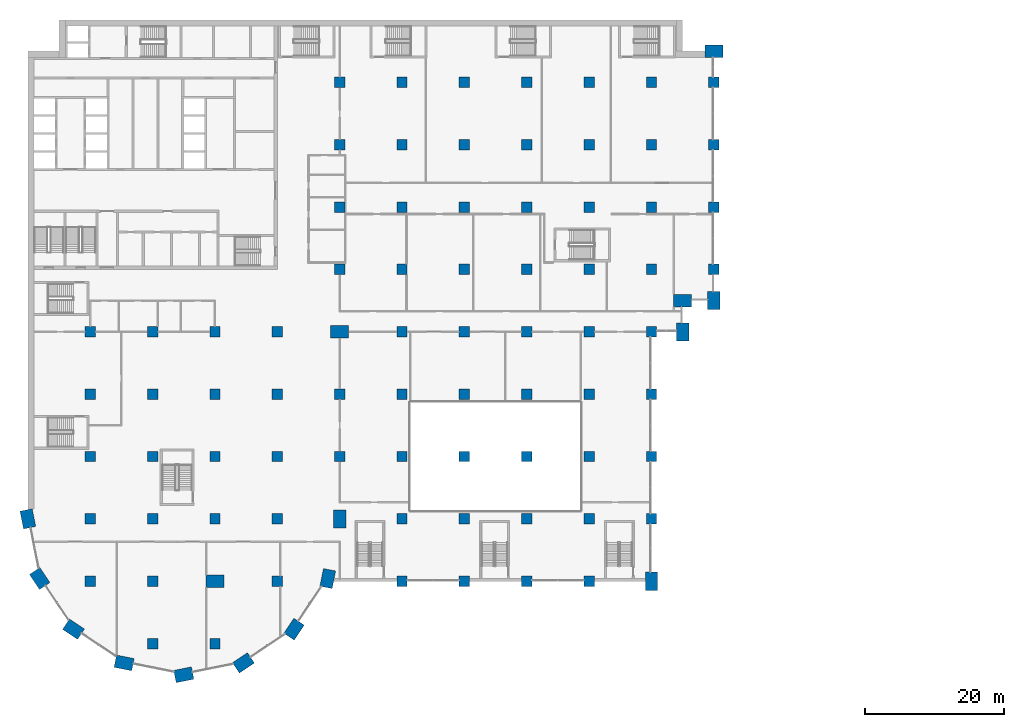
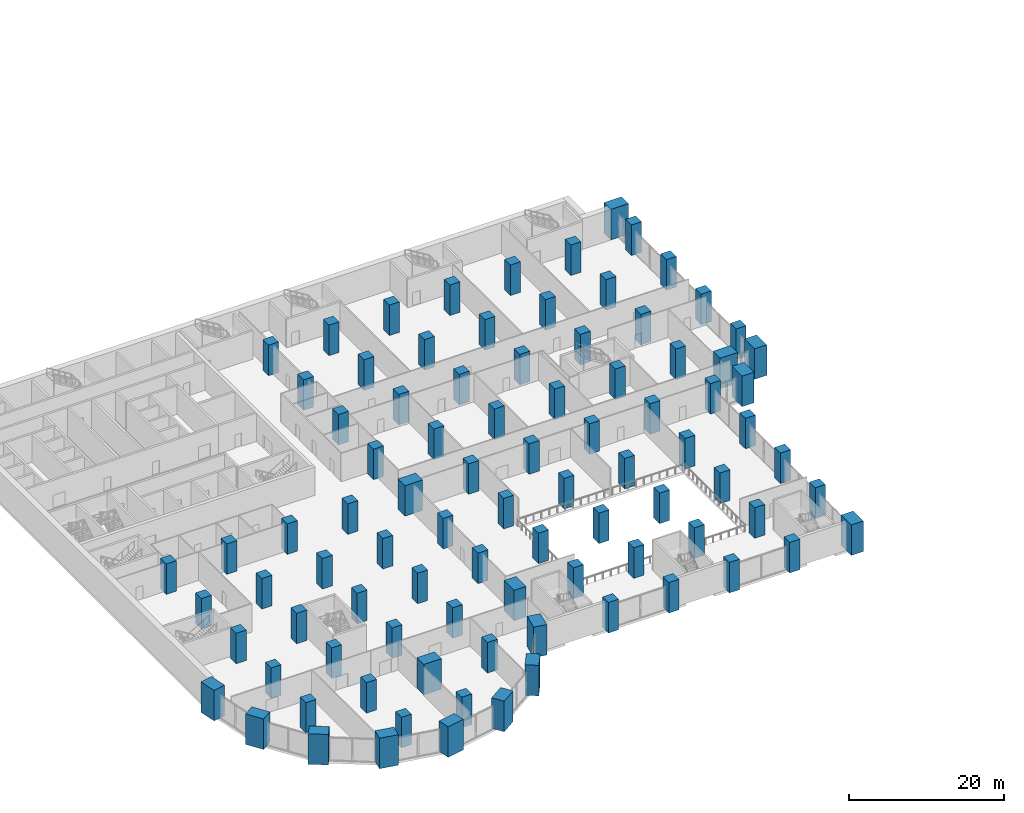
# One storey, part 1 of 49: 91 columns.
"""IFC4 building model written with IfcOpenShell, lengths in metres."""

from ifc_helpers import new_model, si_unit, direction, frame, origin, origin_2d, place, context, subcontext, project, spatial, rectangle, extrude, material, material_profile, profile_set, type_object, element, save


model = new_model("IFC4")

# Units and contexts
model_context = context("Model", 3, precision=1e-05, world=origin(), true_north=direction((0.0, 1.0)))
body_context = subcontext(model_context, "Body", "Model", "MODEL_VIEW")
ifc_project = project(units=[si_unit("LENGTHUNIT", "METRE"), si_unit("AREAUNIT", "SQUARE_METRE"), si_unit("VOLUMEUNIT", "CUBIC_METRE"), si_unit("PLANEANGLEUNIT", "RADIAN"), si_unit("MASSUNIT", "GRAM", prefix="KILO")], contexts=[model_context])

# Site, building, storey
site_placement = place(None, origin())
site = spatial("IfcSite", under=ifc_project, at=site_placement, CompositionType="ELEMENT")
building_placement = place(site_placement, origin())
building = spatial("IfcBuilding", under=site, at=building_placement, Name="Hunhe Ridgeline Campus", CompositionType="ELEMENT")
storey_placement = place(building_placement, frame((0.0, 0.0, 21.60009765625)))
storey = spatial("IfcBuildingStorey", under=building, at=storey_placement, Name="L04", CompositionType="ELEMENT", Elevation=21.60009765625)

# Columns
ifc_material = material(Name="Concrete C80", Category="concrete")
ifc_material_profile_1 = material_profile(ifc_material, rectangle(XDim=2.60009765625, YDim=1.800048828125, at=origin_2d()))
ifc_profile_set_1 = profile_set([ifc_material_profile_1], Name="Concrete C80")
column_type_1 = type_object("IfcColumnType", Name="Megacolumn 2600x1800 Concrete C80", PredefinedType="COLUMN", material=ifc_profile_set_1)
for number, where, z_axis, x_axis, name in (
    (1, (22.5, 4.5, 0.0), (0.0, 0.0, 1.0), (0.980785280403, 0.195090322016, 0.0), "Column C1 R1 L04"),
    (2, (13.8896484375, 6.212646484375, 0.0), (0.0, 0.0, 1.0), (-0.980785280403, 0.195090322016, 0.0), "Column C1 R2 L04"),
    (3, (31.1103515625, 6.212646484375, 0.0), (0.0, 0.0, 1.0), (0.831469612303, 0.55557023302, 0.0), "Column C1 R3 L04"),
    (4, (6.590087890625, 11.090087890625, 0.0), (0.0, 0.0, 1.0), (-0.831469612303, 0.55557023302, 0.0), "Column C1 R4 L04"),
    (5, (38.409912109375, 11.090087890625, 0.0), (0.0, 0.0, 1.0), (0.55557023302, 0.831469612303, 0.0), "Column C1 R5 L04"),
    (6, (1.712646484375, 18.3896484375, 0.0), (0.0, 0.0, 1.0), (-0.55557023302, 0.831469612303, 0.0), "Column C1 R9 L04"),
    (7, (43.287353515625, 18.3896484375, 0.0), (0.0, 0.0, 1.0), (0.195090322016, 0.980785280403, 0.0), "Column C1 R10 L04"),
    (8, (0.0, 27.0, 0.0), (0.0, 0.0, 1.0), (-0.195090322016, 0.980785280403, 0.0), "Column C1 D1 L04"),
    (9, (45.0, 27.0, 0.0), (0.0, 0.0, 1.0), (0.0, 1.0, 0.0), "Column C1 D6 L04"),
    (10, (45.0, 54.0, 0.0), (0.0, 0.0, 1.0), (1.0, 0.0, 0.0), "Column C1 G6 L04"),
    (11, (94.5, 54.0, 0.0), (0.0, 0.0, 1.0), (0.0, 1.0, 0.0), "Column C1 R32 L04"),
    (12, (94.5, 58.5, 0.0), (0.0, 0.0, 1.0), (1.0, 0.0, 0.0), "Column C1 R39 L04"),
    (13, (99.0, 58.5, 0.0), (0.0, 0.0, 1.0), (0.0, 1.0, 0.0), "Column C1 R40 L04"),
    (14, (99.0, 94.5, 0.0), (0.0, 0.0, 1.0), (1.0, 0.0, 0.0), "Column C1 R44 L04"),
    (15, (27.0, 18.0, 0.0), (0.0, 0.0, 1.0), (1.0, 0.0, 0.0), "Column C1 C4 L04"),
    (16, (90.0, 18.0, 0.0), (0.0, 0.0, 1.0), (0.0, 1.0, 0.0), "Column C1 C11 L04"),
):
    element("IfcColumn", number, at=place(storey_placement, frame(where, z_axis=z_axis, x_axis=x_axis)), inside=storey, type_object=column_type_1, Name=name, PredefinedType="COLUMN", context=body_context, shape_type="SweptSolid", body=[
        extrude(rectangle(XDim=2.60009765625, YDim=1.800048828125, at=origin_2d()), origin(), (0.0, 0.0, 1.0), 4.7998046875),
    ])
ifc_material_profile_2 = material_profile(ifc_material, rectangle(XDim=1.5, YDim=1.5, at=origin_2d()))
ifc_profile_set_2 = profile_set([ifc_material_profile_2], Name="Concrete C80")
column_type_2 = type_object("IfcColumnType", Name="RC column 1500x1500 Concrete C80", PredefinedType="COLUMN", material=ifc_profile_set_2)
for number, where, z_axis, x_axis, name in (
    (17, (45.0, 36.0, 0.0), (0.0, 0.0, 1.0), (1.0, 0.0, 0.0), "Column C2 E6 L04"),
    (18, (45.0, 45.0, 0.0), (0.0, 0.0, 1.0), (1.0, 0.0, 0.0), "Column C2 F6 L04"),
    (19, (54.0, 54.0, 0.0), (0.0, 0.0, 1.0), (1.0, 0.0, 0.0), "Column C2 G7 L04"),
    (20, (63.0, 54.0, 0.0), (0.0, 0.0, 1.0), (1.0, 0.0, 0.0), "Column C2 G8 L04"),
    (21, (72.0, 54.0, 0.0), (0.0, 0.0, 1.0), (1.0, 0.0, 0.0), "Column C2 G9 L04"),
    (22, (81.0, 54.0, 0.0), (0.0, 0.0, 1.0), (1.0, 0.0, 0.0), "Column C2 G10 L04"),
    (23, (90.0, 54.0, 0.0), (0.0, 0.0, 1.0), (1.0, 0.0, 0.0), "Column C2 G11 L04"),
    (24, (99.0, 63.0, 0.0), (0.0, 0.0, 1.0), (1.0, 0.0, 0.0), "Column C2 H12 L04"),
    (25, (99.0, 72.0, 0.0), (0.0, 0.0, 1.0), (1.0, 0.0, 0.0), "Column C2 I12 L04"),
    (26, (99.0, 81.0, 0.0), (0.0, 0.0, 1.0), (1.0, 0.0, 0.0), "Column C2 J12 L04"),
    (27, (99.0, 90.0, 0.0), (0.0, 0.0, 1.0), (1.0, 0.0, 0.0), "Column C2 K12 L04"),
    (28, (9.0, 18.0, 0.0), (0.0, 0.0, 1.0), (1.0, 0.0, 0.0), "Column C2 C2 L04"),
    (29, (9.0, 27.0, 0.0), (0.0, 0.0, 1.0), (1.0, 0.0, 0.0), "Column C2 D2 L04"),
    (30, (9.0, 36.0, 0.0), (0.0, 0.0, 1.0), (1.0, 0.0, 0.0), "Column C2 E2 L04"),
    (31, (9.0, 45.0, 0.0), (0.0, 0.0, 1.0), (1.0, 0.0, 0.0), "Column C2 F2 L04"),
    (32, (9.0, 54.0, 0.0), (0.0, 0.0, 1.0), (1.0, 0.0, 0.0), "Column C2 G2 L04"),
    (33, (18.0, 18.0, 0.0), (0.0, 0.0, 1.0), (1.0, 0.0, 0.0), "Column C2 C3 L04"),
    (34, (18.0, 27.0, 0.0), (0.0, 0.0, 1.0), (1.0, 0.0, 0.0), "Column C2 D3 L04"),
    (35, (18.0, 36.0, 0.0), (0.0, 0.0, 1.0), (1.0, 0.0, 0.0), "Column C2 E3 L04"),
    (36, (18.0, 45.0, 0.0), (0.0, 0.0, 1.0), (1.0, 0.0, 0.0), "Column C2 F3 L04"),
    (37, (18.0, 54.0, 0.0), (0.0, 0.0, 1.0), (1.0, 0.0, 0.0), "Column C2 G3 L04"),
    (38, (27.0, 27.0, 0.0), (0.0, 0.0, 1.0), (1.0, 0.0, 0.0), "Column C2 D4 L04"),
    (39, (27.0, 36.0, 0.0), (0.0, 0.0, 1.0), (1.0, 0.0, 0.0), "Column C2 E4 L04"),
    (40, (27.0, 45.0, 0.0), (0.0, 0.0, 1.0), (1.0, 0.0, 0.0), "Column C2 F4 L04"),
    (41, (27.0, 54.0, 0.0), (0.0, 0.0, 1.0), (1.0, 0.0, 0.0), "Column C2 G4 L04"),
    (42, (36.0, 18.0, 0.0), (0.0, 0.0, 1.0), (1.0, 0.0, 0.0), "Column C2 C5 L04"),
    (43, (36.0, 27.0, 0.0), (0.0, 0.0, 1.0), (1.0, 0.0, 0.0), "Column C2 D5 L04"),
    (44, (36.0, 36.0, 0.0), (0.0, 0.0, 1.0), (1.0, 0.0, 0.0), "Column C2 E5 L04"),
    (45, (36.0, 45.0, 0.0), (0.0, 0.0, 1.0), (1.0, 0.0, 0.0), "Column C2 F5 L04"),
    (46, (36.0, 54.0, 0.0), (0.0, 0.0, 1.0), (1.0, 0.0, 0.0), "Column C2 G5 L04"),
    (47, (45.0, 63.0, 0.0), (0.0, 0.0, 1.0), (1.0, 0.0, 0.0), "Column C2 H6 L04"),
    (48, (45.0, 72.0, 0.0), (0.0, 0.0, 1.0), (1.0, 0.0, 0.0), "Column C2 I6 L04"),
    (49, (45.0, 81.0, 0.0), (0.0, 0.0, 1.0), (1.0, 0.0, 0.0), "Column C2 J6 L04"),
    (50, (45.0, 90.0, 0.0), (0.0, 0.0, 1.0), (1.0, 0.0, 0.0), "Column C2 K6 L04"),
    (51, (54.0, 63.0, 0.0), (0.0, 0.0, 1.0), (1.0, 0.0, 0.0), "Column C2 H7 L04"),
    (52, (54.0, 72.0, 0.0), (0.0, 0.0, 1.0), (1.0, 0.0, 0.0), "Column C2 I7 L04"),
    (53, (54.0, 81.0, 0.0), (0.0, 0.0, 1.0), (1.0, 0.0, 0.0), "Column C2 J7 L04"),
    (54, (54.0, 90.0, 0.0), (0.0, 0.0, 1.0), (1.0, 0.0, 0.0), "Column C2 K7 L04"),
    (55, (63.0, 63.0, 0.0), (0.0, 0.0, 1.0), (1.0, 0.0, 0.0), "Column C2 H8 L04"),
    (56, (63.0, 72.0, 0.0), (0.0, 0.0, 1.0), (1.0, 0.0, 0.0), "Column C2 I8 L04"),
    (57, (63.0, 81.0, 0.0), (0.0, 0.0, 1.0), (1.0, 0.0, 0.0), "Column C2 J8 L04"),
    (58, (63.0, 90.0, 0.0), (0.0, 0.0, 1.0), (1.0, 0.0, 0.0), "Column C2 K8 L04"),
    (59, (72.0, 63.0, 0.0), (0.0, 0.0, 1.0), (1.0, 0.0, 0.0), "Column C2 H9 L04"),
    (60, (72.0, 72.0, 0.0), (0.0, 0.0, 1.0), (1.0, 0.0, 0.0), "Column C2 I9 L04"),
    (61, (72.0, 81.0, 0.0), (0.0, 0.0, 1.0), (1.0, 0.0, 0.0), "Column C2 J9 L04"),
    (62, (72.0, 90.0, 0.0), (0.0, 0.0, 1.0), (1.0, 0.0, 0.0), "Column C2 K9 L04"),
    (63, (81.0, 63.0, 0.0), (0.0, 0.0, 1.0), (1.0, 0.0, 0.0), "Column C2 H10 L04"),
    (64, (81.0, 72.0, 0.0), (0.0, 0.0, 1.0), (1.0, 0.0, 0.0), "Column C2 I10 L04"),
    (65, (81.0, 81.0, 0.0), (0.0, 0.0, 1.0), (1.0, 0.0, 0.0), "Column C2 J10 L04"),
    (66, (81.0, 90.0, 0.0), (0.0, 0.0, 1.0), (1.0, 0.0, 0.0), "Column C2 K10 L04"),
    (67, (90.0, 63.0, 0.0), (0.0, 0.0, 1.0), (1.0, 0.0, 0.0), "Column C2 H11 L04"),
    (68, (90.0, 72.0, 0.0), (0.0, 0.0, 1.0), (1.0, 0.0, 0.0), "Column C2 I11 L04"),
    (69, (90.0, 81.0, 0.0), (0.0, 0.0, 1.0), (1.0, 0.0, 0.0), "Column C2 J11 L04"),
    (70, (90.0, 90.0, 0.0), (0.0, 0.0, 1.0), (1.0, 0.0, 0.0), "Column C2 K11 L04"),
    (71, (54.0, 18.0, 0.0), (0.0, 0.0, 1.0), (1.0, 0.0, 0.0), "Column C2 C7 L04"),
    (72, (63.0, 18.0, 0.0), (0.0, 0.0, 1.0), (1.0, 0.0, 0.0), "Column C2 C8 L04"),
    (73, (72.0, 18.0, 0.0), (0.0, 0.0, 1.0), (1.0, 0.0, 0.0), "Column C2 C9 L04"),
    (74, (81.0, 18.0, 0.0), (0.0, 0.0, 1.0), (1.0, 0.0, 0.0), "Column C2 C10 L04"),
    (75, (90.0, 27.0, 0.0), (0.0, 0.0, 1.0), (1.0, 0.0, 0.0), "Column C2 D11 L04"),
    (76, (90.0, 36.0, 0.0), (0.0, 0.0, 1.0), (1.0, 0.0, 0.0), "Column C2 E11 L04"),
    (77, (90.0, 45.0, 0.0), (0.0, 0.0, 1.0), (1.0, 0.0, 0.0), "Column C2 F11 L04"),
    (78, (18.0, 9.0, 0.0), (0.0, 0.0, 1.0), (1.0, 0.0, 0.0), "Column C2 B3 L04"),
    (79, (27.0, 9.0, 0.0), (0.0, 0.0, 1.0), (1.0, 0.0, 0.0), "Column C2 B4 L04"),
    (80, (54.0, 27.0, 0.0), (0.0, 0.0, 1.0), (1.0, 0.0, 0.0), "Column C2 D7 L04"),
    (81, (54.0, 36.0, 0.0), (0.0, 0.0, 1.0), (1.0, 0.0, 0.0), "Column C2 E7 L04"),
    (82, (54.0, 45.0, 0.0), (0.0, 0.0, 1.0), (1.0, 0.0, 0.0), "Column C2 F7 L04"),
    (83, (63.0, 27.0, 0.0), (0.0, 0.0, 1.0), (1.0, 0.0, 0.0), "Column C2 D8 L04"),
    (84, (63.0, 36.0, 0.0), (0.0, 0.0, 1.0), (1.0, 0.0, 0.0), "Column C2 E8 L04"),
    (85, (63.0, 45.0, 0.0), (0.0, 0.0, 1.0), (1.0, 0.0, 0.0), "Column C2 F8 L04"),
    (86, (72.0, 27.0, 0.0), (0.0, 0.0, 1.0), (1.0, 0.0, 0.0), "Column C2 D9 L04"),
    (87, (72.0, 36.0, 0.0), (0.0, 0.0, 1.0), (1.0, 0.0, 0.0), "Column C2 E9 L04"),
    (88, (72.0, 45.0, 0.0), (0.0, 0.0, 1.0), (1.0, 0.0, 0.0), "Column C2 F9 L04"),
    (89, (81.0, 27.0, 0.0), (0.0, 0.0, 1.0), (1.0, 0.0, 0.0), "Column C2 D10 L04"),
    (90, (81.0, 36.0, 0.0), (0.0, 0.0, 1.0), (1.0, 0.0, 0.0), "Column C2 E10 L04"),
    (91, (81.0, 45.0, 0.0), (0.0, 0.0, 1.0), (1.0, 0.0, 0.0), "Column C2 F10 L04"),
):
    element("IfcColumn", number, at=place(storey_placement, frame(where, z_axis=z_axis, x_axis=x_axis)), inside=storey, type_object=column_type_2, Name=name, PredefinedType="COLUMN", context=body_context, shape_type="SweptSolid", body=[
        extrude(rectangle(XDim=1.5, YDim=1.5, at=origin_2d()), origin(), (0.0, 0.0, 1.0), 4.7998046875),
    ])

save(model, "model.ifc")
